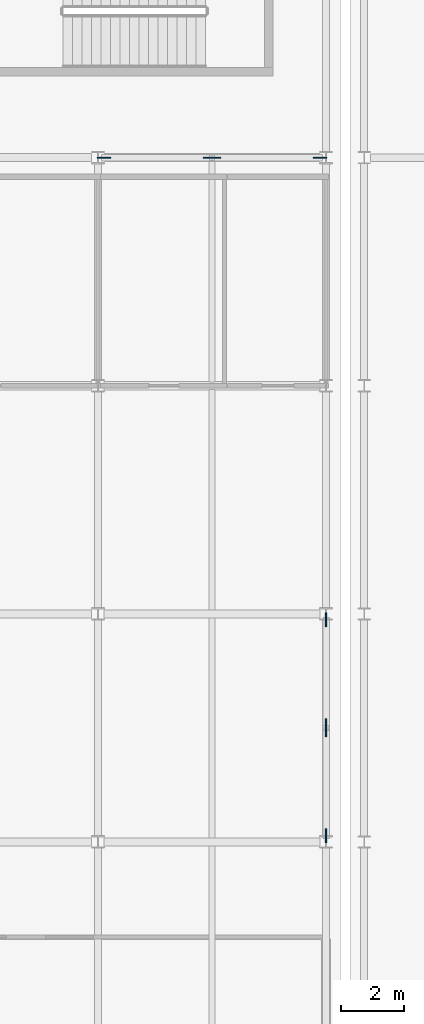
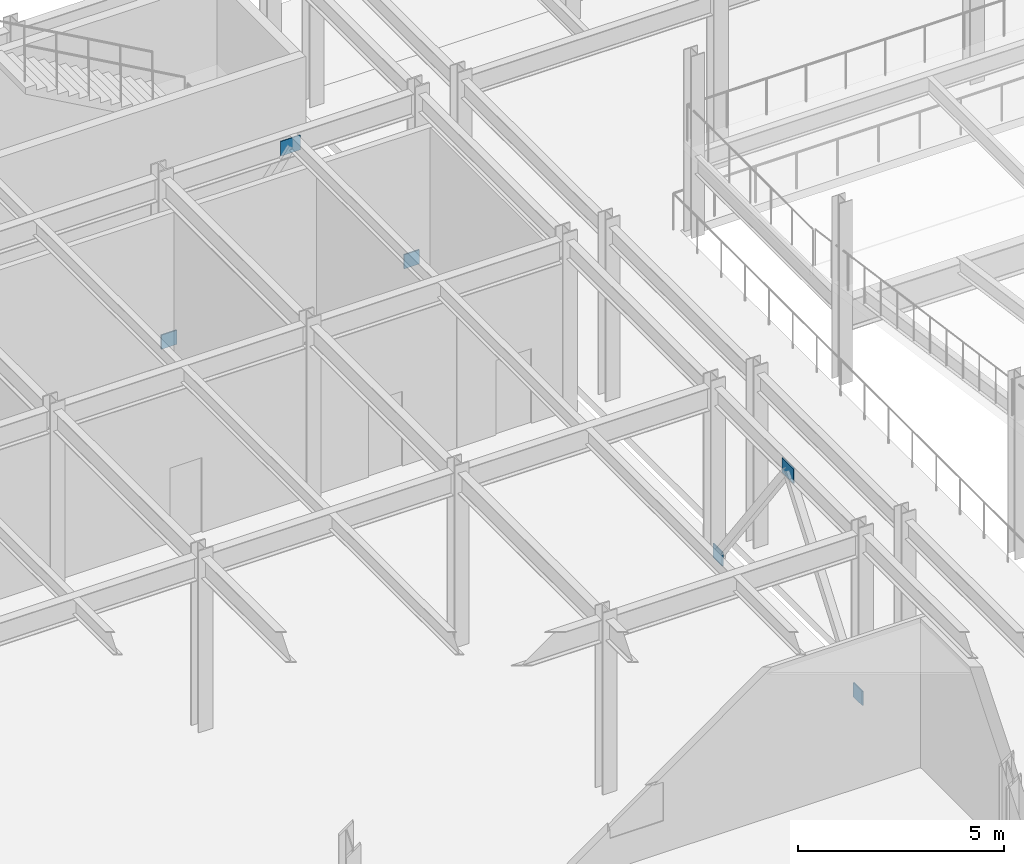
# One storey, part 68 of 104: 6 plates.
"""IFC4 building model written with IfcOpenShell, lengths in metres."""

from ifc_helpers import new_model, si_unit, direction, frame, origin, origin_2d, place, context, subcontext, project, spatial, rectangle, extrude, material, layer, layer_set, type_object, element, save


model = new_model("IFC4")

# Units and contexts
model_context = context("Model", 3, precision=1e-05, world=origin(), true_north=direction((0.0, 1.0)))
body_context = subcontext(model_context, "Body", "Model", "MODEL_VIEW")
ifc_project = project(units=[si_unit("LENGTHUNIT", "METRE"), si_unit("AREAUNIT", "SQUARE_METRE"), si_unit("VOLUMEUNIT", "CUBIC_METRE"), si_unit("PLANEANGLEUNIT", "RADIAN"), si_unit("MASSUNIT", "GRAM", prefix="KILO")], contexts=[model_context])

# Site, building, storey
site_placement = place(None, origin())
site = spatial("IfcSite", under=ifc_project, at=site_placement, CompositionType="ELEMENT")
building_placement = place(site_placement, origin())
building = spatial("IfcBuilding", under=site, at=building_placement, Name="Vaelcorin Mobility Hub", CompositionType="ELEMENT")
storey_placement = place(building_placement, origin())
storey = spatial("IfcBuildingStorey", under=building, at=storey_placement, Name="L00", CompositionType="ELEMENT", Elevation=0.0)

# Plates
ifc_material = material(Name="Steel ASTM A572 Grade 50", Category="steel")
ifc_layer = layer(ifc_material, 0.034912109375)
ifc_layer_set = layer_set([ifc_layer], Name="Steel ASTM A572 Grade 50")
plate_type = type_object("IfcPlateType", Name="PL-GN1", PredefinedType="USERDEFINED", material=ifc_layer_set)
for number, where, z_axis, x_axis, name in (
    (1, (115.389892578125, 112.800048828125, -0.030029296875), (0.0, 0.0, 1.0), (1.0, 0.0, 0.0), "SCBF Gusset Plate GN1 V4-BX2-L00-A"),
    (2, (122.2099609375, 112.800048828125, -0.030029296875), (0.0, 0.0, 1.0), (1.0, 0.0, 0.0), "SCBF Gusset Plate GN1 V4-BX2-L00-B"),
):
    element("IfcPlate", number, at=place(storey_placement, frame(where, z_axis=z_axis, x_axis=x_axis)), inside=storey, type_object=plate_type, Name=name, ObjectType="GUSSET PLATE", PredefinedType="USERDEFINED", context=body_context, shape_type="SweptSolid", body=[
        extrude(rectangle(XDim=0.43994140625, YDim=0.034912109375, at=origin_2d()), origin(), (0.0, 0.0, 1.0), 0.419921875),
    ])
plate_1_placement = place(storey_placement, frame((118.800048828125, 112.800048828125, 4.530029296875), z_axis=(0.0, 0.0, 1.0), x_axis=(1.0, 0.0, 0.0)))
element("IfcPlate", 3, at=plate_1_placement, inside=storey, type_object=plate_type, Name="SCBF Apex Gusset GN1 V4-BX2-L00", ObjectType="GUSSET PLATE", PredefinedType="USERDEFINED", context=body_context, shape_type="SweptSolid", body=[
    extrude(rectangle(XDim=0.56005859375, YDim=0.034912109375, at=origin_2d()), origin(), (0.0, 0.0, 1.0), 0.43994140625),
])
for number, where, z_axis, x_axis, name in (
    (4, (122.39990234375, 91.389892578125, -0.030029296875), (0.0, 0.0, 1.0), (0.0, 1.0, 0.0), "SCBF Gusset Plate GN1 V4-BY2-L00-A"),
    (5, (122.39990234375, 98.2099609375, -0.030029296875), (0.0, 0.0, 1.0), (0.0, 1.0, 0.0), "SCBF Gusset Plate GN1 V4-BY2-L00-B"),
):
    element("IfcPlate", number, at=place(storey_placement, frame(where, z_axis=z_axis, x_axis=x_axis)), inside=storey, type_object=plate_type, Name=name, ObjectType="GUSSET PLATE", PredefinedType="USERDEFINED", context=body_context, shape_type="SweptSolid", body=[
        extrude(rectangle(XDim=0.43994140625, YDim=0.034912109375, at=origin_2d()), origin(), (0.0, 0.0, 1.0), 0.419921875),
    ])
plate_2_placement = place(storey_placement, frame((122.39990234375, 94.800048828125, 4.530029296875), z_axis=(0.0, 0.0, 1.0), x_axis=(0.0, 1.0, 0.0)))
element("IfcPlate", 6, at=plate_2_placement, inside=storey, type_object=plate_type, Name="SCBF Apex Gusset GN1 V4-BY2-L00", ObjectType="GUSSET PLATE", PredefinedType="USERDEFINED", context=body_context, shape_type="SweptSolid", body=[
    extrude(rectangle(XDim=0.56005859375, YDim=0.034912109375, at=origin_2d()), origin(), (0.0, 0.0, 1.0), 0.43994140625),
])

save(model, "model.ifc")
